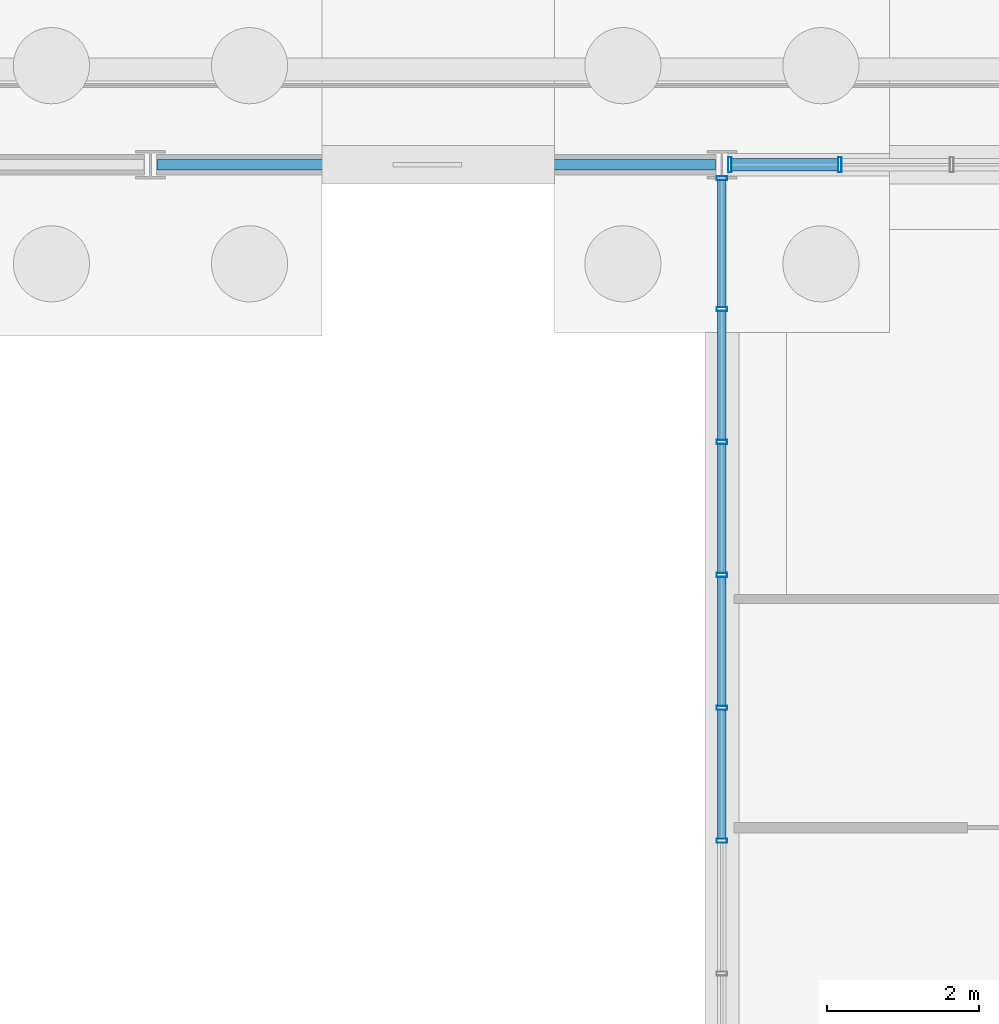
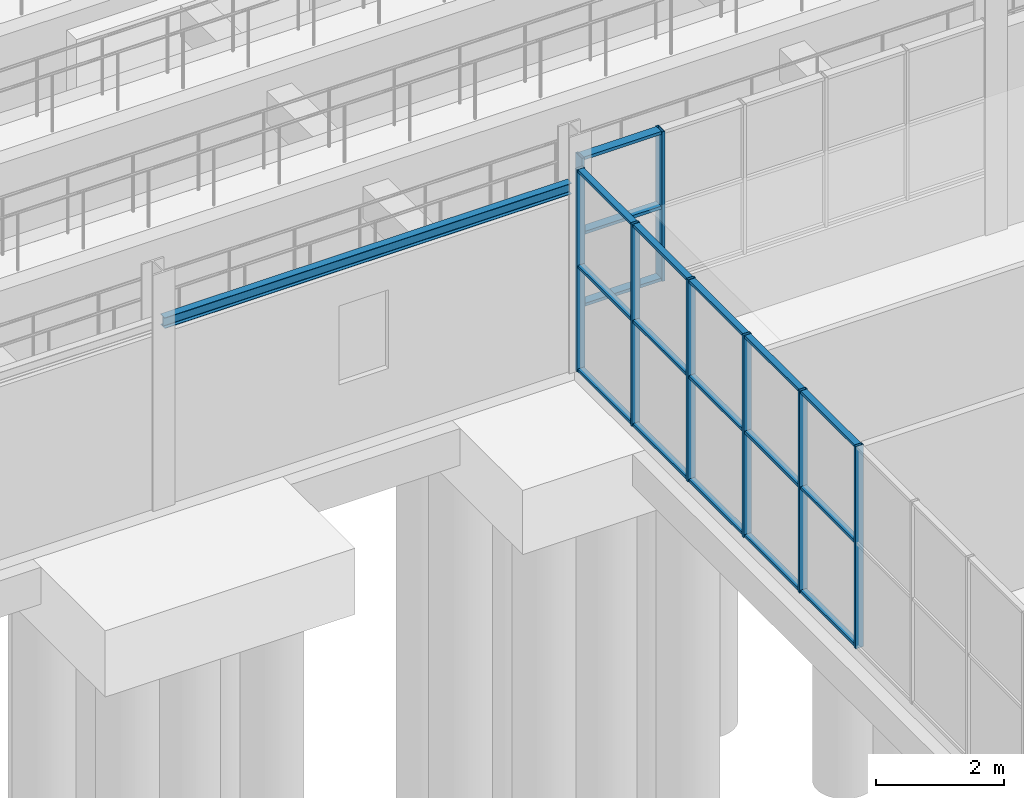
# One storey, part 72 of 136: 26 members, 1 beam, 2 elements without a shape of their own.
"""IFC4 building model written with IfcOpenShell, lengths in metres."""

import ifcopenshell
import ifcopenshell.guid

model = None  # the IFC model being written
_history = None  # IfcOwnerHistory: only IFC2X3 demands one
_inside = {}  # id of a spatial element -> (the spatial element, [elements in it])
_under = {}  # id of a project, library or spatial element -> (it, [spatial elements below it])
_declared = {}  # id of a project -> (the project, [libraries it declares])
_typed = {}  # id of a type object -> (the type object, [elements of that type])
_made_of = {}  # id of a material, layer set ... -> (it, [elements and type objects made of it])


def new_model(schema):
    """Start an empty IFC model of exactly this schema.

    Asked for "IFC4X3", IfcOpenShell would pick the latest addendum, in which some entities
    have other attributes; the version numbers below select the first issue.
    IFC2X3 requires an IfcOwnerHistory on every rooted entity: one is made here for all.
    """
    global model, _history
    if schema == "IFC4X3":
        model = ifcopenshell.file(schema_version=(4, 3, 0, 0))
    else:
        model = ifcopenshell.file(schema=schema)
    _inside.clear()
    _under.clear()
    _declared.clear()
    _typed.clear()
    _made_of.clear()
    _history = None
    if model.schema == "IFC2X3":
        org = make("IfcOrganization", Name="unknown")
        user = make(
            "IfcPersonAndOrganization",
            ThePerson=make("IfcPerson", FamilyName="unknown"),
            TheOrganization=org,
        )
        app = make(
            "IfcApplication",
            ApplicationDeveloper=org,
            Version="unknown",
            ApplicationFullName="unknown",
            ApplicationIdentifier="unknown",
        )
        _history = make(
            "IfcOwnerHistory",
            OwningUser=user,
            OwningApplication=app,
            ChangeAction="ADDED",
            CreationDate=0,
        )
    return model


def make(cls, **values):
    """One entity of the class cls with the attributes given. An attribute that is None is left unset."""
    return model.create_entity(
        cls, **{name: value for name, value in values.items() if value is not None}
    )


def rooted(cls, **values):
    """An entity with a GlobalId (a new one), such as an element, a storey or a relation."""
    return make(cls, GlobalId=ifcopenshell.guid.new(), OwnerHistory=_history, **values)


def si_unit(unit_type, name, prefix=None):
    """IfcSIUnit, for example si_unit("LENGTHUNIT", "METRE", prefix="MILLI")."""
    return make("IfcSIUnit", UnitType=unit_type, Prefix=prefix, Name=name)


def assignment(units):
    """IfcUnitAssignment: the units of a project."""
    return None if units is None else make("IfcUnitAssignment", Units=units)


def point(xyz):
    """IfcCartesianPoint."""
    return None if xyz is None else make("IfcCartesianPoint", Coordinates=xyz)


def direction(xyz):
    """IfcDirection."""
    return None if xyz is None else make("IfcDirection", DirectionRatios=xyz)


def frame(location, z_axis=None, x_axis=None):
    """IfcAxis2Placement3D, a coordinate frame: its origin and axes. An axis left out is left unset."""
    return make(
        "IfcAxis2Placement3D",
        Location=point(location),
        Axis=direction(z_axis),
        RefDirection=direction(x_axis),
    )


def frame_2d(location, x_axis=None):
    """IfcAxis2Placement2D, a coordinate frame in the plane: its origin and x axis."""
    return make(
        "IfcAxis2Placement2D", Location=point(location), RefDirection=direction(x_axis)
    )


def origin():
    """The frame at (0, 0, 0) with its axes left unset."""
    return frame((0.0, 0.0, 0.0))


def origin_2d():
    """The frame at (0, 0) in the plane with its x axis left unset."""
    return frame_2d((0.0, 0.0))


def place(relative_to, where):
    """IfcLocalPlacement: puts the frame where relative to a parent placement (None: the world)."""
    return make(
        "IfcLocalPlacement", PlacementRelTo=relative_to, RelativePlacement=where
    )


def context(
    kind, dimensions, precision=None, world=None, true_north=None, identifier=None
):
    """IfcGeometricRepresentationContext, for example the 3D "Model" context."""
    return make(
        "IfcGeometricRepresentationContext",
        ContextIdentifier=identifier,
        ContextType=kind,
        CoordinateSpaceDimension=dimensions,
        Precision=precision,
        WorldCoordinateSystem=world,
        TrueNorth=true_north,
    )


def subcontext(parent, identifier, kind, view, scale=None):
    """IfcGeometricRepresentationSubContext, for example "Body" below "Model"."""
    return make(
        "IfcGeometricRepresentationSubContext",
        ContextIdentifier=identifier,
        ContextType=kind,
        ParentContext=parent,
        TargetScale=scale,
        TargetView=view,
    )


def project(units=None, contexts=None):
    """IfcProject with its units and contexts."""
    return rooted(
        "IfcProject",
        Name="project",
        RepresentationContexts=contexts,
        UnitsInContext=assignment(units),
    )


def spatial(cls, under=None, at=None, **own):
    """A site, building, storey or space (cls), placed at a placement, below another one or the project."""
    s = rooted(cls, ObjectPlacement=at, **own)
    if under is not None:
        _under.setdefault(under.id(), (under, []))[1].append(s)
    return s


def profile(cls, at=None, kind="AREA", **sizes):
    """A parametric profile (cls). Its sizes go by their IFC names, for example OverallWidth=200.0."""
    return make(cls, ProfileType=kind, Position=at, **sizes)


def hollow_rectangle(**sizes):
    """IfcRectangleHollowProfileDef."""
    return profile("IfcRectangleHollowProfileDef", **sizes)


def i_section(**sizes):
    """IfcIShapeProfileDef."""
    return profile("IfcIShapeProfileDef", **sizes)


def extrude(swept, where, along, depth):
    """IfcExtrudedAreaSolid: the profile swept, set in the frame where, extruded along a direction by depth."""
    return make(
        "IfcExtrudedAreaSolid",
        SweptArea=swept,
        Position=where,
        ExtrudedDirection=direction(along),
        Depth=depth,
    )


def shape(context_of_items, identifier, shape_type, items):
    """IfcShapeRepresentation: the items that make up one representation, for example the "Body"."""
    return make(
        "IfcShapeRepresentation",
        ContextOfItems=context_of_items,
        RepresentationIdentifier=identifier,
        RepresentationType=shape_type,
        Items=items,
    )


def material(Name=None, Category=None):
    """IfcMaterial."""
    return make("IfcMaterial", Name=Name, Category=Category)


def layer(
    of_material, thickness, ventilated=None, Name=None, Category=None, Priority=None
):
    """IfcMaterialLayer: one layer of a wall or slab, of a material (None: an air gap)."""
    return make(
        "IfcMaterialLayer",
        Material=of_material,
        LayerThickness=thickness,
        IsVentilated=ventilated,
        Name=Name,
        Category=Category,
        Priority=Priority,
    )


def layer_set(layers, Name=None):
    """IfcMaterialLayerSet."""
    return make("IfcMaterialLayerSet", MaterialLayers=layers, LayerSetName=Name)


def material_profile(
    of_material, cross_section, Name=None, Category=None, Priority=None
):
    """IfcMaterialProfile: a cross section and its material."""
    return make(
        "IfcMaterialProfile",
        Name=Name,
        Material=of_material,
        Profile=cross_section,
        Priority=Priority,
        Category=Category,
    )


def profile_set(profiles, Name=None, composite=None):
    """IfcMaterialProfileSet."""
    return make(
        "IfcMaterialProfileSet",
        Name=Name,
        MaterialProfiles=profiles,
        CompositeProfile=composite,
    )


def made_of(thing, what):
    """Note that an element or type object is made of a material, layer set ...; save() writes the relation."""
    if what is not None:
        _made_of.setdefault(what.id(), (what, []))[1].append(thing)
    return thing


def type_object(cls, material=None, **own):
    """A type object (cls), such as IfcWallType, which elements share."""
    return made_of(rooted(cls, **own), material)


def element(
    cls,
    number,
    at=None,
    inside=None,
    cuts=None,
    type_object=None,
    material=None,
    context=None,
    identifier="Body",
    shape_type=None,
    held_by="IfcProductDefinitionShape",
    body=None,
    shapes=None,
    **own,
):
    """One element of the class cls, such as IfcWall. Its Tag is "e" and its number.

    at: its placement. inside: the storey or other place that contains it. cuts: it is an
    opening in that element (IfcRelVoidsElement). A single representation is given by context,
    identifier, shape_type and body (its items); several are given by shapes. held_by: the class
    of the entity that holds the representations. save() writes the other relations.
    """
    e = rooted(cls, Tag="e%d" % number, ObjectPlacement=at, **own)
    if body is not None:
        shapes = [shape(context, identifier, shape_type, body)]
    if shapes is not None:
        e.Representation = make(held_by, Representations=shapes)
    if inside is not None:
        _inside.setdefault(inside.id(), (inside, []))[1].append(e)
    if cuts is not None:
        rooted(
            "IfcRelVoidsElement", RelatingBuildingElement=cuts, RelatedOpeningElement=e
        )
    if type_object is not None:
        _typed.setdefault(type_object.id(), (type_object, []))[1].append(e)
    return made_of(e, material)


def aggregate(whole, parts):
    """IfcRelAggregates: a whole, such as a stair, and the parts it consists of."""
    return rooted("IfcRelAggregates", RelatingObject=whole, RelatedObjects=parts)


def save(model, path):
    """Write the relations noted so far, then the file.

    IfcRelAggregates (storeys below a building ...), IfcRelContainedInSpatialStructure (elements
    in a storey), IfcRelDefinesByType, IfcRelAssociatesMaterial and IfcRelDeclares: one each for
    every whole, place, type object, material and project.
    """
    for whole, parts in _under.values():
        aggregate(whole, parts)
    for where, things in _inside.values():
        rooted(
            "IfcRelContainedInSpatialStructure",
            RelatedElements=things,
            RelatingStructure=where,
        )
    for kind, things in _typed.values():
        rooted("IfcRelDefinesByType", RelatedObjects=things, RelatingType=kind)
    for what, things in _made_of.values():
        rooted("IfcRelAssociatesMaterial", RelatedObjects=things, RelatingMaterial=what)
    for by, libraries in _declared.values():
        rooted("IfcRelDeclares", RelatingContext=by, RelatedDefinitions=libraries)
    model.write(path)


model = new_model("IFC4")

# Units and contexts
model_context = context("Model", 3, precision=1e-05, world=origin(), true_north=direction((0.0, 1.0)))
body_context = subcontext(model_context, "Body", "Model", "MODEL_VIEW")
ifc_project = project(units=[si_unit("LENGTHUNIT", "METRE"), si_unit("AREAUNIT", "SQUARE_METRE"), si_unit("VOLUMEUNIT", "CUBIC_METRE"), si_unit("PLANEANGLEUNIT", "RADIAN"), si_unit("MASSUNIT", "GRAM", prefix="KILO")], contexts=[model_context])

# Site, building, storey
site_placement = place(None, origin())
site = spatial("IfcSite", under=ifc_project, at=site_placement, CompositionType="ELEMENT")
building_placement = place(site_placement, origin())
building = spatial("IfcBuilding", under=site, at=building_placement, Name="Solvenia Promenade Tram Depot", CompositionType="ELEMENT")
storey_placement = place(building_placement, origin())
storey = spatial("IfcBuildingStorey", under=building, at=storey_placement, Name="L00", CompositionType="ELEMENT", Elevation=0.0)

# Curtain wall, members
ifc_material_1 = material(Name="Anodized aluminium AW-6063 T6", Category="aluminium")
ifc_layer_1 = layer(ifc_material_1, 0.179931640625, Name="Anodized aluminium AW-6063 T6", Category="aluminium")
ifc_layer_set_1 = layer_set([ifc_layer_1], Name="Anodized aluminium AW-6063 T6")
curtain_wall_type_1 = type_object("IfcCurtainWallType", Name="CW-Solar-1500", PredefinedType="NOTDEFINED", material=ifc_layer_set_1)
curtain_wall_1_placement = place(storey_placement, origin())
curtain_wall_1 = element("IfcCurtainWall", 1, at=curtain_wall_1_placement, inside=storey, type_object=curtain_wall_type_1, Name="Curtain Wall CW-V2S-L0-05", PredefinedType="NOTDEFINED")
ifc_material_profile_1 = material_profile(ifc_material_1, hollow_rectangle(XDim=0.199951171875, YDim=0.048095703125, WallThickness=0.00390625, at=origin_2d()), Name="ALU-M3", Category="aluminium")
ifc_profile_set_1 = profile_set([ifc_material_profile_1], Name="Anodized aluminium AW-6063 T6")
member_type_1 = type_object("IfcMemberType", Name="CWM-Mullion-3", PredefinedType="MULLION", material=ifc_profile_set_1)
member_1_placement = place(storey_placement, frame((135.10400390625, 24.0, 1.10009765625), z_axis=(0.0, 0.0, 1.0), x_axis=(0.0, 1.0, 0.0)))
member_1 = element("IfcMember", 2, at=member_1_placement, type_object=member_type_1, Name="CW-7 mullion 1", PredefinedType="MULLION", context=body_context, shape_type="SweptSolid", body=[
    extrude(hollow_rectangle(XDim=0.199951171875, YDim=0.048095703125, WallThickness=0.00390625, at=origin_2d()), origin(), (0.0, 0.0, 1.0), 2.849853515625),
])
member_2_placement = place(storey_placement, frame((136.548095703125, 24.0, 1.10009765625), z_axis=(0.0, 0.0, 1.0), x_axis=(0.0, 1.0, 0.0)))
member_2 = element("IfcMember", 3, at=member_2_placement, type_object=member_type_1, Name="CW-7 mullion 2", PredefinedType="MULLION", context=body_context, shape_type="SweptSolid", body=[
    extrude(hollow_rectangle(XDim=0.199951171875, YDim=0.048095703125, WallThickness=0.00390625, at=origin_2d()), origin(), (0.0, 0.0, 1.0), 2.849853515625),
])

ifc_layer_2 = layer(ifc_material_1, 0.179931640625, Name="Anodized aluminium AW-6063 T6", Category="aluminium")
ifc_layer_set_2 = layer_set([ifc_layer_2], Name="Anodized aluminium AW-6063 T6")
curtain_wall_type_2 = type_object("IfcCurtainWallType", Name="CW-Prom-1800", PredefinedType="NOTDEFINED", material=ifc_layer_set_2)
curtain_wall_2_placement = place(storey_placement, origin())
curtain_wall_2 = element("IfcCurtainWall", 4, at=curtain_wall_2_placement, inside=storey, type_object=curtain_wall_type_2, Name="Curtain Wall CW-V5W-L00", PredefinedType="NOTDEFINED")
ifc_material_profile_2 = material_profile(ifc_material_1, hollow_rectangle(XDim=0.139892578125, YDim=0.054931640625, WallThickness=0.00390625, at=origin_2d()), Name="ALU-M4", Category="aluminium")
ifc_profile_set_2 = profile_set([ifc_material_profile_2], Name="Anodized aluminium AW-6063 T6")
member_type_2 = type_object("IfcMemberType", Name="CWM-Mullion-4", PredefinedType="MULLION", material=ifc_profile_set_2)
member_3_placement = place(storey_placement, frame((135.0, 15.127685546875, 0.0), z_axis=(0.0, 0.0, 1.0), x_axis=(-1.0, 0.0, 0.0)))
member_3 = element("IfcMember", 5, at=member_3_placement, type_object=member_type_2, Name="CW-9 mullion 5", PredefinedType="MULLION", context=body_context, shape_type="SweptSolid", body=[
    extrude(hollow_rectangle(XDim=0.139892578125, YDim=0.054931640625, WallThickness=0.00390625, at=origin_2d()), origin(), (0.0, 0.0, 1.0), 3.85009765625),
])
member_4_placement = place(storey_placement, frame((135.0, 16.872314453125, 0.0), z_axis=(0.0, 0.0, 1.0), x_axis=(-1.0, 0.0, 0.0)))
member_4 = element("IfcMember", 6, at=member_4_placement, type_object=member_type_2, Name="CW-9 mullion 6", PredefinedType="MULLION", context=body_context, shape_type="SweptSolid", body=[
    extrude(hollow_rectangle(XDim=0.139892578125, YDim=0.054931640625, WallThickness=0.00390625, at=origin_2d()), origin(), (0.0, 0.0, 1.0), 3.85009765625),
])
member_5_placement = place(storey_placement, frame((135.0, 18.61669921875, 0.0), z_axis=(0.0, 0.0, 1.0), x_axis=(-1.0, 0.0, 0.0)))
member_5 = element("IfcMember", 7, at=member_5_placement, type_object=member_type_2, Name="CW-9 mullion 7", PredefinedType="MULLION", context=body_context, shape_type="SweptSolid", body=[
    extrude(hollow_rectangle(XDim=0.139892578125, YDim=0.054931640625, WallThickness=0.00390625, at=origin_2d()), origin(), (0.0, 0.0, 1.0), 3.85009765625),
])
member_6_placement = place(storey_placement, frame((135.0, 20.361083984375, 0.0), z_axis=(0.0, 0.0, 1.0), x_axis=(-1.0, 0.0, 0.0)))
member_6 = element("IfcMember", 8, at=member_6_placement, type_object=member_type_2, Name="CW-9 mullion 8", PredefinedType="MULLION", context=body_context, shape_type="SweptSolid", body=[
    extrude(hollow_rectangle(XDim=0.139892578125, YDim=0.054931640625, WallThickness=0.00390625, at=origin_2d()), origin(), (0.0, 0.0, 1.0), 3.85009765625),
])
member_7_placement = place(storey_placement, frame((135.0, 22.10546875, 0.0), z_axis=(0.0, 0.0, 1.0), x_axis=(-1.0, 0.0, 0.0)))
member_7 = element("IfcMember", 9, at=member_7_placement, type_object=member_type_2, Name="CW-9 mullion 9", PredefinedType="MULLION", context=body_context, shape_type="SweptSolid", body=[
    extrude(hollow_rectangle(XDim=0.139892578125, YDim=0.054931640625, WallThickness=0.00390625, at=origin_2d()), origin(), (0.0, 0.0, 1.0), 3.85009765625),
])
member_8_placement = place(storey_placement, frame((135.0, 23.822509765625, 0.0), z_axis=(0.0, 0.0, 1.0), x_axis=(-1.0, 0.0, 0.0)))
member_8 = element("IfcMember", 10, at=member_8_placement, type_object=member_type_2, Name="CW-9 mullion 10", PredefinedType="MULLION", context=body_context, shape_type="SweptSolid", body=[
    extrude(hollow_rectangle(XDim=0.139892578125, YDim=0.054931640625, WallThickness=0.00390625, at=origin_2d()), origin(), (0.0, 0.0, 1.0), 3.85009765625),
])

# Member
ifc_material_profile_3 = material_profile(ifc_material_1, hollow_rectangle(XDim=0.159912109375, YDim=0.05810546875, WallThickness=0.00390625, at=origin_2d()), Name="ALU-T3", Category="aluminium")
ifc_profile_set_3 = profile_set([ifc_material_profile_3], Name="Anodized aluminium AW-6063 T6")
member_type_3 = type_object("IfcMemberType", Name="CWT-Transom-3", PredefinedType="USERDEFINED", material=ifc_profile_set_3)
member_9_placement = place(storey_placement, frame((135.1279296875, 24.0, 1.12890625), z_axis=(1.0, 0.0, 0.0), x_axis=(0.0, 1.0, 0.0)))
member_9 = element("IfcMember", 11, at=member_9_placement, type_object=member_type_3, Name="CW-7 transom 1.1", ObjectType="TRANSOM", PredefinedType="USERDEFINED", context=body_context, shape_type="SweptSolid", body=[
    extrude(hollow_rectangle(XDim=0.159912109375, YDim=0.05810546875, WallThickness=0.00390625, at=origin_2d()), origin(), (0.0, 0.0, 1.0), 1.39599609375),
])

member_10_placement = place(storey_placement, frame((135.1279296875, 24.0, 2.5), z_axis=(1.0, 0.0, 0.0), x_axis=(0.0, 1.0, 0.0)))
member_10 = element("IfcMember", 12, at=member_10_placement, type_object=member_type_3, Name="CW-7 transom 1.2", ObjectType="TRANSOM", PredefinedType="USERDEFINED", context=body_context, shape_type="SweptSolid", body=[
    extrude(hollow_rectangle(XDim=0.159912109375, YDim=0.05810546875, WallThickness=0.00390625, at=origin_2d()), origin(), (0.0, 0.0, 1.0), 1.39599609375),
])

member_11_placement = place(storey_placement, frame((135.1279296875, 24.0, 3.9208984375), z_axis=(1.0, 0.0, 0.0), x_axis=(0.0, 1.0, 0.0)))
member_11 = element("IfcMember", 13, at=member_11_placement, type_object=member_type_3, Name="CW-7 transom 1.3", ObjectType="TRANSOM", PredefinedType="USERDEFINED", context=body_context, shape_type="SweptSolid", body=[
    extrude(hollow_rectangle(XDim=0.159912109375, YDim=0.05810546875, WallThickness=0.00390625, at=origin_2d()), origin(), (0.0, 0.0, 1.0), 1.39599609375),
])

aggregate(curtain_wall_1, [member_1, member_2, member_9, member_10, member_11])

ifc_material_profile_4 = material_profile(ifc_material_1, hollow_rectangle(XDim=0.110107421875, YDim=0.054931640625, WallThickness=0.00390625, at=origin_2d()), Name="ALU-T4", Category="aluminium")
ifc_profile_set_4 = profile_set([ifc_material_profile_4], Name="Anodized aluminium AW-6063 T6")
member_type_4 = type_object("IfcMemberType", Name="CWT-Transom-4", PredefinedType="USERDEFINED", material=ifc_profile_set_4)
member_12_placement = place(storey_placement, frame((135.0, 15.1552734375, 0.027587890625), z_axis=(0.0, 1.0, 0.0), x_axis=(-1.0, 0.0, 0.0)))
member_12 = element("IfcMember", 14, at=member_12_placement, type_object=member_type_4, Name="CW-9 transom 5.1", ObjectType="TRANSOM", PredefinedType="USERDEFINED", context=body_context, shape_type="SweptSolid", body=[
    extrude(hollow_rectangle(XDim=0.110107421875, YDim=0.054931640625, WallThickness=0.00390625, at=origin_2d()), origin(), (0.0, 0.0, 1.0), 1.689453125),
])

member_13_placement = place(storey_placement, frame((135.0, 15.1552734375, 2.0), z_axis=(0.0, 1.0, 0.0), x_axis=(-1.0, 0.0, 0.0)))
member_13 = element("IfcMember", 15, at=member_13_placement, type_object=member_type_4, Name="CW-9 transom 5.2", ObjectType="TRANSOM", PredefinedType="USERDEFINED", context=body_context, shape_type="SweptSolid", body=[
    extrude(hollow_rectangle(XDim=0.110107421875, YDim=0.054931640625, WallThickness=0.00390625, at=origin_2d()), origin(), (0.0, 0.0, 1.0), 1.689453125),
])

member_14_placement = place(storey_placement, frame((135.0, 15.1552734375, 3.822509765625), z_axis=(0.0, 1.0, 0.0), x_axis=(-1.0, 0.0, 0.0)))
member_14 = element("IfcMember", 16, at=member_14_placement, type_object=member_type_4, Name="CW-9 transom 5.3", ObjectType="TRANSOM", PredefinedType="USERDEFINED", context=body_context, shape_type="SweptSolid", body=[
    extrude(hollow_rectangle(XDim=0.110107421875, YDim=0.054931640625, WallThickness=0.00390625, at=origin_2d()), origin(), (0.0, 0.0, 1.0), 1.689453125),
])

member_15_placement = place(storey_placement, frame((135.0, 16.899658203125, 0.027587890625), z_axis=(0.0, 1.0, 0.0), x_axis=(-1.0, 0.0, 0.0)))
member_15 = element("IfcMember", 17, at=member_15_placement, type_object=member_type_4, Name="CW-9 transom 6.1", ObjectType="TRANSOM", PredefinedType="USERDEFINED", context=body_context, shape_type="SweptSolid", body=[
    extrude(hollow_rectangle(XDim=0.110107421875, YDim=0.054931640625, WallThickness=0.00390625, at=origin_2d()), origin(), (0.0, 0.0, 1.0), 1.689453125),
])

member_16_placement = place(storey_placement, frame((135.0, 16.899658203125, 2.0), z_axis=(0.0, 1.0, 0.0), x_axis=(-1.0, 0.0, 0.0)))
member_16 = element("IfcMember", 18, at=member_16_placement, type_object=member_type_4, Name="CW-9 transom 6.2", ObjectType="TRANSOM", PredefinedType="USERDEFINED", context=body_context, shape_type="SweptSolid", body=[
    extrude(hollow_rectangle(XDim=0.110107421875, YDim=0.054931640625, WallThickness=0.00390625, at=origin_2d()), origin(), (0.0, 0.0, 1.0), 1.689453125),
])

member_17_placement = place(storey_placement, frame((135.0, 16.899658203125, 3.822509765625), z_axis=(0.0, 1.0, 0.0), x_axis=(-1.0, 0.0, 0.0)))
member_17 = element("IfcMember", 19, at=member_17_placement, type_object=member_type_4, Name="CW-9 transom 6.3", ObjectType="TRANSOM", PredefinedType="USERDEFINED", context=body_context, shape_type="SweptSolid", body=[
    extrude(hollow_rectangle(XDim=0.110107421875, YDim=0.054931640625, WallThickness=0.00390625, at=origin_2d()), origin(), (0.0, 0.0, 1.0), 1.689453125),
])

member_18_placement = place(storey_placement, frame((135.0, 18.644287109375, 0.027587890625), z_axis=(0.0, 1.0, 0.0), x_axis=(-1.0, 0.0, 0.0)))
member_18 = element("IfcMember", 20, at=member_18_placement, type_object=member_type_4, Name="CW-9 transom 7.1", ObjectType="TRANSOM", PredefinedType="USERDEFINED", context=body_context, shape_type="SweptSolid", body=[
    extrude(hollow_rectangle(XDim=0.110107421875, YDim=0.054931640625, WallThickness=0.00390625, at=origin_2d()), origin(), (0.0, 0.0, 1.0), 1.689208984375),
])

member_19_placement = place(storey_placement, frame((135.0, 18.644287109375, 2.0), z_axis=(0.0, 1.0, 0.0), x_axis=(-1.0, 0.0, 0.0)))
member_19 = element("IfcMember", 21, at=member_19_placement, type_object=member_type_4, Name="CW-9 transom 7.2", ObjectType="TRANSOM", PredefinedType="USERDEFINED", context=body_context, shape_type="SweptSolid", body=[
    extrude(hollow_rectangle(XDim=0.110107421875, YDim=0.054931640625, WallThickness=0.00390625, at=origin_2d()), origin(), (0.0, 0.0, 1.0), 1.689208984375),
])

member_20_placement = place(storey_placement, frame((135.0, 18.644287109375, 3.822509765625), z_axis=(0.0, 1.0, 0.0), x_axis=(-1.0, 0.0, 0.0)))
member_20 = element("IfcMember", 22, at=member_20_placement, type_object=member_type_4, Name="CW-9 transom 7.3", ObjectType="TRANSOM", PredefinedType="USERDEFINED", context=body_context, shape_type="SweptSolid", body=[
    extrude(hollow_rectangle(XDim=0.110107421875, YDim=0.054931640625, WallThickness=0.00390625, at=origin_2d()), origin(), (0.0, 0.0, 1.0), 1.689208984375),
])

member_21_placement = place(storey_placement, frame((135.0, 20.388671875, 0.027587890625), z_axis=(0.0, 1.0, 0.0), x_axis=(-1.0, 0.0, 0.0)))
member_21 = element("IfcMember", 23, at=member_21_placement, type_object=member_type_4, Name="CW-9 transom 8.1", ObjectType="TRANSOM", PredefinedType="USERDEFINED", context=body_context, shape_type="SweptSolid", body=[
    extrude(hollow_rectangle(XDim=0.110107421875, YDim=0.054931640625, WallThickness=0.00390625, at=origin_2d()), origin(), (0.0, 0.0, 1.0), 1.689453125),
])

member_22_placement = place(storey_placement, frame((135.0, 20.388671875, 2.0), z_axis=(0.0, 1.0, 0.0), x_axis=(-1.0, 0.0, 0.0)))
member_22 = element("IfcMember", 24, at=member_22_placement, type_object=member_type_4, Name="CW-9 transom 8.2", ObjectType="TRANSOM", PredefinedType="USERDEFINED", context=body_context, shape_type="SweptSolid", body=[
    extrude(hollow_rectangle(XDim=0.110107421875, YDim=0.054931640625, WallThickness=0.00390625, at=origin_2d()), origin(), (0.0, 0.0, 1.0), 1.689453125),
])

member_23_placement = place(storey_placement, frame((135.0, 20.388671875, 3.822509765625), z_axis=(0.0, 1.0, 0.0), x_axis=(-1.0, 0.0, 0.0)))
member_23 = element("IfcMember", 25, at=member_23_placement, type_object=member_type_4, Name="CW-9 transom 8.3", ObjectType="TRANSOM", PredefinedType="USERDEFINED", context=body_context, shape_type="SweptSolid", body=[
    extrude(hollow_rectangle(XDim=0.110107421875, YDim=0.054931640625, WallThickness=0.00390625, at=origin_2d()), origin(), (0.0, 0.0, 1.0), 1.689453125),
])

member_24_placement = place(storey_placement, frame((135.0, 22.133056640625, 0.027587890625), z_axis=(0.0, 1.0, 0.0), x_axis=(-1.0, 0.0, 0.0)))
member_24 = element("IfcMember", 26, at=member_24_placement, type_object=member_type_4, Name="CW-9 transom 9.1", ObjectType="TRANSOM", PredefinedType="USERDEFINED", context=body_context, shape_type="SweptSolid", body=[
    extrude(hollow_rectangle(XDim=0.110107421875, YDim=0.054931640625, WallThickness=0.00390625, at=origin_2d()), origin(), (0.0, 0.0, 1.0), 1.661865234375),
])

member_25_placement = place(storey_placement, frame((135.0, 22.133056640625, 2.0), z_axis=(0.0, 1.0, 0.0), x_axis=(-1.0, 0.0, 0.0)))
member_25 = element("IfcMember", 27, at=member_25_placement, type_object=member_type_4, Name="CW-9 transom 9.2", ObjectType="TRANSOM", PredefinedType="USERDEFINED", context=body_context, shape_type="SweptSolid", body=[
    extrude(hollow_rectangle(XDim=0.110107421875, YDim=0.054931640625, WallThickness=0.00390625, at=origin_2d()), origin(), (0.0, 0.0, 1.0), 1.661865234375),
])

member_26_placement = place(storey_placement, frame((135.0, 22.133056640625, 3.822509765625), z_axis=(0.0, 1.0, 0.0), x_axis=(-1.0, 0.0, 0.0)))
member_26 = element("IfcMember", 28, at=member_26_placement, type_object=member_type_4, Name="CW-9 transom 9.3", ObjectType="TRANSOM", PredefinedType="USERDEFINED", context=body_context, shape_type="SweptSolid", body=[
    extrude(hollow_rectangle(XDim=0.110107421875, YDim=0.054931640625, WallThickness=0.00390625, at=origin_2d()), origin(), (0.0, 0.0, 1.0), 1.661865234375),
])

aggregate(curtain_wall_2, [member_3, member_4, member_5, member_6, member_7, member_8, member_12, member_13, member_14, member_15, member_16, member_17, member_18, member_19, member_20, member_21, member_22, member_23, member_24, member_25, member_26])

# Beam
ifc_material_2 = material(Name="Structural steel ASTM A992 Gr. 50", Category="steel")
ifc_material_profile_5 = material_profile(ifc_material_2, i_section(OverallWidth=0.133056640625, OverallDepth=0.20703125, WebThickness=0.005859375, FlangeThickness=0.00830078125, FilletRadius=0.009033203125, at=origin_2d()), Name="W200x27", Category="steel")
ifc_profile_set_5 = profile_set([ifc_material_profile_5], Name="Structural steel ASTM A992 Gr. 50")
beam_type = type_object("IfcBeamType", Name="Lintel-W200x27", PredefinedType="LINTEL", material=ifc_profile_set_5)
beam_placement = place(storey_placement, frame((127.5849609375, 24.0, 3.41650390625), z_axis=(1.0, 0.0, 0.0), x_axis=(0.0, 1.0, 0.0)))
element("IfcBeam", 29, at=beam_placement, inside=storey, type_object=beam_type, Name="Workshop Bay Lintel 4 BM-L00-0947", PredefinedType="LINTEL", context=body_context, shape_type="SweptSolid", body=[
    extrude(i_section(OverallWidth=0.133056640625, OverallDepth=0.20703125, WebThickness=0.005859375, FlangeThickness=0.00830078125, FilletRadius=0.009033203125, at=origin_2d()), origin(), (0.0, 0.0, 1.0), 7.330078125),
])

save(model, "model.ifc")
